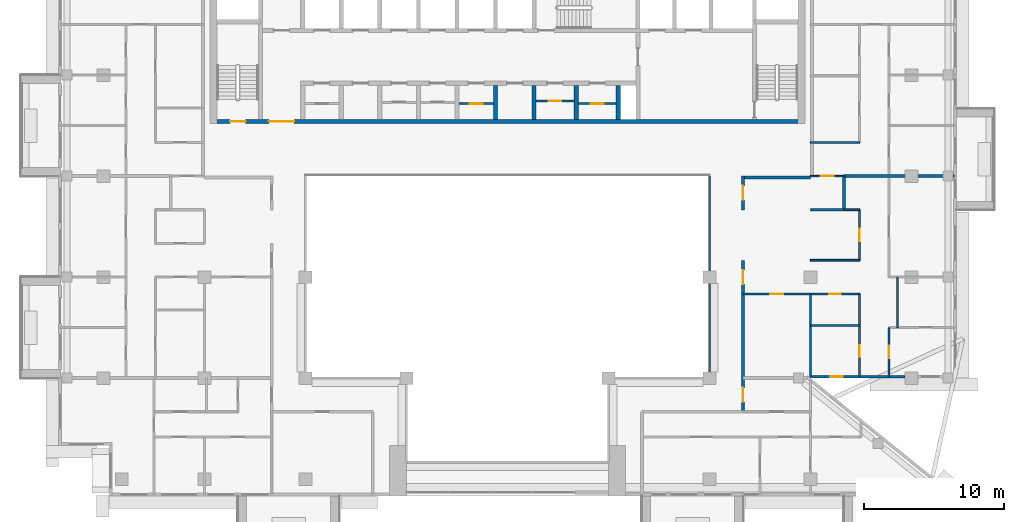
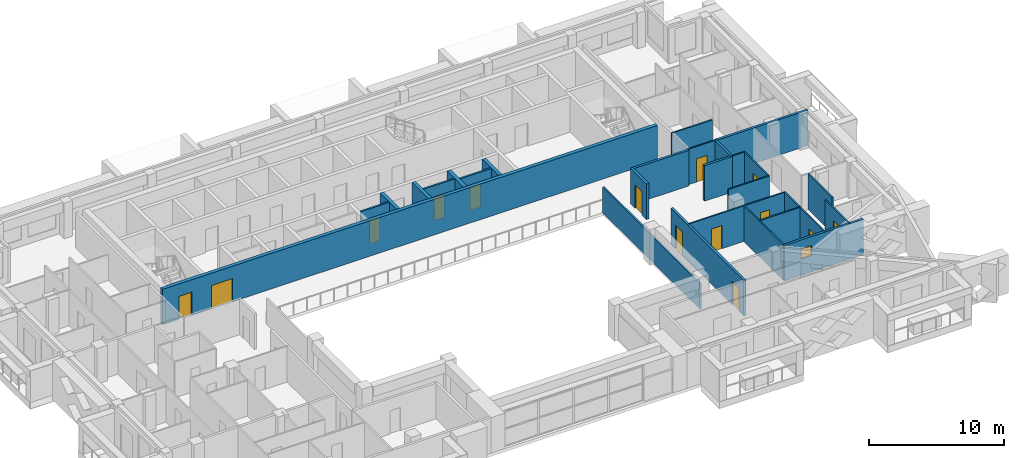
# One storey, part 9 of 19: 27 walls, 14 doors, 1 window, 15 openings.
"""IFC4 building model written with IfcOpenShell, lengths in metres."""

from ifc_helpers import new_model, si_unit, direction, frame, frame_2d, origin, place, context, subcontext, project, spatial, rectangle, extrude, material, layer, layer_set, type_object, element, fill, save


model = new_model("IFC4")

# Units and contexts
model_context = context("Model", 3, precision=1e-05, world=origin(), true_north=direction((0.0, 1.0)))
body_context = subcontext(model_context, "Body", "Model", "MODEL_VIEW")
ifc_project = project(units=[si_unit("LENGTHUNIT", "METRE"), si_unit("AREAUNIT", "SQUARE_METRE"), si_unit("VOLUMEUNIT", "CUBIC_METRE"), si_unit("PLANEANGLEUNIT", "RADIAN"), si_unit("MASSUNIT", "GRAM", prefix="KILO")], contexts=[model_context])

# Site, building, storey
site_placement = place(None, origin())
site = spatial("IfcSite", under=ifc_project, at=site_placement, CompositionType="ELEMENT")
building_placement = place(site_placement, origin())
building = spatial("IfcBuilding", under=site, at=building_placement, Name="Saffron Iwan Residences", CompositionType="ELEMENT")
storey_placement = place(building_placement, frame((0.0, 0.0, 225.5)))
storey = spatial("IfcBuildingStorey", under=building, at=storey_placement, Name="L60", CompositionType="ELEMENT", Elevation=225.5)

# Wall
ifc_material_1 = material(Name="Fire-rated glazing", Category="glass")
ifc_layer_1 = layer(ifc_material_1, 0.14990234375)
ifc_layer_set_1 = layer_set([ifc_layer_1], Name="Fire-rated glazing")
wall_type_1 = type_object("IfcWallType", Name="Atrium glazed screen 150", PredefinedType="SOLIDWALL", material=ifc_layer_set_1)
wall_1_placement = place(storey_placement, frame((64.800048828125, 48.0, 0.0), z_axis=(0.0, 0.0, 1.0), x_axis=(0.0, 1.0, 0.0)))
element("IfcWall", 1, at=wall_1_placement, inside=storey, type_object=wall_type_1, Name="W-L60-SCREEN-v64.8-48", PredefinedType="SOLIDWALL", context=body_context, shape_type="SweptSolid", body=[
    extrude(rectangle(XDim=14.39990234375, YDim=0.14990234375, at=frame_2d((7.199951171875, 0.0))), origin(), (0.0, 0.0, 1.0), 2.320068359375),
])

# Wall, opening, door
ifc_material_2 = material(Name="Fire-rated plasterboard partition")
ifc_layer_2 = layer(ifc_material_2, 0.14990234375)
ifc_layer_set_2 = layer_set([ifc_layer_2], Name="Fire-rated plasterboard partition")
wall_type_2 = type_object("IfcWallType", Name="Core partition 150", PredefinedType="PARTITIONING", material=ifc_layer_set_2)
wall_2_placement = place(storey_placement, frame((46.949951171875, 67.5654296875, 0.0), z_axis=(0.0, 0.0, 1.0), x_axis=(1.0, 0.0, 0.0)))
wall_2 = element("IfcWall", 2, at=wall_2_placement, inside=storey, type_object=wall_type_2, Name="Core partition P04", PredefinedType="PARTITIONING", context=body_context, shape_type="SweptSolid", body=[
    extrude(rectangle(XDim=2.449951171875, YDim=0.14990234375, at=frame_2d((1.22509765625, 0.0))), origin(), (0.0, 0.0, 1.0), 3.219970703125),
])
opening_1_placement = place(wall_2_placement, frame((0.77490234375, 0.0, 0.0)))
opening_1 = element("IfcOpeningElement", 3, at=opening_1_placement, cuts=wall_2, Name="Opening SB", PredefinedType="OPENING", context=body_context, shape_type="SweptSolid", body=[
    extrude(rectangle(XDim=0.89990234375, YDim=2.10009765625, at=frame_2d((0.449951171875, 1.050048828125))), frame((0.0, 0.0849609375, 0.0), z_axis=(0.0, -1.0, 0.0), x_axis=(1.0, 0.0, 0.0)), (0.0, 0.0, 1.0), 0.169921875),
])
ifc_material_3 = material(Name="Steel fire door", Category="steel")
door_type_1 = type_object("IfcDoorType", Name="Store door 900", OperationType="NOTDEFINED", PredefinedType="DOOR", material=ifc_material_3)
door_1_placement = place(opening_1_placement, origin())
door_1 = element("IfcDoor", 4, at=door_1_placement, inside=storey, type_object=door_type_1, Name="Door Equipment store", OperationType="SINGLE_SWING_RIGHT", OverallHeight=2.10009765625, OverallWidth=0.89990234375, PredefinedType="DOOR", context=body_context, shape_type="SweptSolid", body=[
    extrude(rectangle(XDim=0.89990234375, YDim=2.10009765625, at=frame_2d((0.449951171875, 1.050048828125))), frame((0.0, 0.02490234375, 0.0), z_axis=(0.0, -1.0, 0.0), x_axis=(1.0, 0.0, 0.0)), (0.0, 0.0, 1.0), 0.050048828125),
])
fill(opening_1, door_1)

wall_3_placement = place(storey_placement, frame((52.449951171875, 67.759521484375, 0.0), z_axis=(0.0, 0.0, 1.0), x_axis=(1.0, 0.0, 0.0)))
wall_3 = element("IfcWall", 5, at=wall_3_placement, inside=storey, type_object=wall_type_2, Name="Core partition P05", PredefinedType="PARTITIONING", context=body_context, shape_type="SweptSolid", body=[
    extrude(rectangle(XDim=2.699951171875, YDim=0.14990234375, at=frame_2d((1.35009765625, 0.0))), origin(), (0.0, 0.0, 1.0), 3.219970703125),
])
opening_2_placement = place(wall_3_placement, frame((0.89990234375, 0.0, 0.0)))
opening_2 = element("IfcOpeningElement", 6, at=opening_2_placement, cuts=wall_3, Name="Opening SB", PredefinedType="OPENING", context=body_context, shape_type="SweptSolid", body=[
    extrude(rectangle(XDim=0.89990234375, YDim=2.10009765625, at=frame_2d((0.449951171875, 1.050048828125))), frame((0.0, 0.0849609375, 0.0), z_axis=(0.0, -1.0, 0.0), x_axis=(1.0, 0.0, 0.0)), (0.0, 0.0, 1.0), 0.169921875),
])
door_2_placement = place(opening_2_placement, origin())
door_2 = element("IfcDoor", 7, at=door_2_placement, inside=storey, type_object=door_type_1, Name="Door Stationery store", OperationType="SINGLE_SWING_LEFT", OverallHeight=2.10009765625, OverallWidth=0.89990234375, PredefinedType="DOOR", context=body_context, shape_type="SweptSolid", body=[
    extrude(rectangle(XDim=0.89990234375, YDim=2.10009765625, at=frame_2d((0.449951171875, 1.050048828125))), frame((0.0, 0.02490234375, 0.0), z_axis=(0.0, -1.0, 0.0), x_axis=(1.0, 0.0, 0.0)), (0.0, 0.0, 1.0), 0.050048828125),
])
fill(opening_2, door_2)

wall_4_placement = place(storey_placement, frame((55.449951171875, 67.5654296875, 0.0), z_axis=(0.0, 0.0, 1.0), x_axis=(1.0, 0.0, 0.0)))
wall_4 = element("IfcWall", 8, at=wall_4_placement, inside=storey, type_object=wall_type_2, Name="Core partition P06", PredefinedType="PARTITIONING", context=body_context, shape_type="SweptSolid", body=[
    extrude(rectangle(XDim=2.699951171875, YDim=0.14990234375, at=frame_2d((1.35009765625, 0.0))), origin(), (0.0, 0.0, 1.0), 3.219970703125),
])
opening_3_placement = place(wall_4_placement, frame((0.89990234375, 0.0, 0.0)))
opening_3 = element("IfcOpeningElement", 9, at=opening_3_placement, cuts=wall_4, Name="Opening SB", PredefinedType="OPENING", context=body_context, shape_type="SweptSolid", body=[
    extrude(rectangle(XDim=0.89990234375, YDim=2.10009765625, at=frame_2d((0.449951171875, 1.050048828125))), frame((0.0, 0.0849609375, 0.0), z_axis=(0.0, -1.0, 0.0), x_axis=(1.0, 0.0, 0.0)), (0.0, 0.0, 1.0), 0.169921875),
])
door_3_placement = place(opening_3_placement, origin())
door_3 = element("IfcDoor", 10, at=door_3_placement, inside=storey, type_object=door_type_1, Name="Door Tool store", OperationType="SINGLE_SWING_RIGHT", OverallHeight=2.10009765625, OverallWidth=0.89990234375, PredefinedType="DOOR", context=body_context, shape_type="SweptSolid", body=[
    extrude(rectangle(XDim=0.89990234375, YDim=2.10009765625, at=frame_2d((0.449951171875, 1.050048828125))), frame((0.0, 0.02490234375, 0.0), z_axis=(0.0, -1.0, 0.0), x_axis=(1.0, 0.0, 0.0)), (0.0, 0.0, 1.0), 0.050048828125),
])
fill(opening_3, door_3)

# Wall, opening, window
ifc_material_4 = material(Name="Concrete C40/50", Category="concrete")
ifc_layer_3 = layer(ifc_material_4, 0.199951171875)
ifc_layer_set_3 = layer_set([ifc_layer_3], Name="Concrete C40/50")
wall_type_3 = type_object("IfcWallType", Name="EXTERNAL WALL 200", PredefinedType="SOLIDWALL", material=ifc_layer_set_3)
wall_5_placement = place(storey_placement, frame((71.987060546875, 48.10009765625, 0.0), z_axis=(0.0, 0.0, 1.0), x_axis=(1.0, 0.0, 0.0)))
wall_5 = element("IfcWall", 11, at=wall_5_placement, inside=storey, type_object=wall_type_3, Name="External wall L60 F1.0", PredefinedType="SOLIDWALL", context=body_context, shape_type="SweptSolid", body=[
    extrude(rectangle(XDim=6.762939453125, YDim=0.199951171875, at=frame_2d((3.38134765625, 0.0))), origin(), (0.0, 0.0, 1.0), 3.219970703125),
])
opening_4_placement = place(wall_5_placement, frame((1.406494140625, 0.0, 1.5)))
opening_4 = element("IfcOpeningElement", 12, at=opening_4_placement, cuts=wall_5, Name="Opening W6", PredefinedType="OPENING", context=body_context, shape_type="SweptSolid", body=[
    extrude(rectangle(XDim=0.89990234375, YDim=0.89990234375, at=frame_2d((0.449951171875, 0.449951171875))), frame((0.0, 0.10986328125, 0.0), z_axis=(0.0, -1.0, 0.0), x_axis=(1.0, 0.0, 0.0)), (0.0, 0.0, 1.0), 0.219970703125),
])
ifc_material_5 = material(Name="Clear glass, laminated double glazed", Category="glass")
window_type = type_object("IfcWindowType", Name="WINDOW 900 x 900 BATH", PartitioningType="SINGLE_PANEL", PredefinedType="WINDOW", material=ifc_material_5)
window_placement = place(opening_4_placement, origin())
window = element("IfcWindow", 13, at=window_placement, inside=storey, type_object=window_type, Name="Window L60 F1.0", OverallHeight=0.89990234375, OverallWidth=0.89990234375, PartitioningType="SINGLE_PANEL", PredefinedType="WINDOW", context=body_context, shape_type="SweptSolid", body=[
    extrude(rectangle(XDim=0.89990234375, YDim=0.89990234375, at=frame_2d((0.449951171875, 0.449951171875))), frame((0.0, 0.030029296875, 0.0), z_axis=(0.0, -1.0, 0.0), x_axis=(1.0, 0.0, 0.0)), (0.0, 0.0, 1.0), 0.06005859375),
])
fill(opening_4, window)

# Walls
ifc_material_6 = material(Name="Fire-rated gypsum board wall")
ifc_layer_4 = layer(ifc_material_6, 0.199951171875)
ifc_layer_set_4 = layer_set([ifc_layer_4], Name="Fire-rated gypsum board wall")
wall_type_4 = type_object("IfcWallType", Name="Flat demising wall 200", PredefinedType="SOLIDWALL", material=ifc_layer_set_4)
wall_6_placement = place(storey_placement, frame((72.0, 60.0, 0.0), z_axis=(0.0, 0.0, 1.0), x_axis=(1.0, 0.0, 0.0)))
element("IfcWall", 14, at=wall_6_placement, inside=storey, type_object=wall_type_4, Name="W-L60-DEMISE-h60-72", PredefinedType="SOLIDWALL", context=body_context, shape_type="SweptSolid", body=[
    extrude(rectangle(XDim=2.39990234375, YDim=0.199951171875, at=frame_2d((1.199951171875, 0.0))), origin(), (0.0, 0.0, 1.0), 3.219970703125),
])
wall_7_placement = place(storey_placement, frame((74.39990234375, 62.39990234375, 0.0), z_axis=(0.0, 0.0, 1.0), x_axis=(1.0, 0.0, 0.0)))
element("IfcWall", 15, at=wall_7_placement, inside=storey, type_object=wall_type_4, Name="W-L60-DEMISE-h62.4-74.4", PredefinedType="SOLIDWALL", context=body_context, shape_type="SweptSolid", body=[
    extrude(rectangle(XDim=7.875, YDim=0.199951171875, at=frame_2d((3.9375, 0.0))), origin(), (0.0, 0.0, 1.0), 3.219970703125),
])
wall_8_placement = place(storey_placement, frame((74.39990234375, 60.0, 0.0), z_axis=(0.0, 0.0, 1.0), x_axis=(0.0, 1.0, 0.0)))
element("IfcWall", 16, at=wall_8_placement, inside=storey, type_object=wall_type_4, Name="W-L60-DEMISE-v74.4-60", PredefinedType="SOLIDWALL", context=body_context, shape_type="SweptSolid", body=[
    extrude(rectangle(XDim=2.39990234375, YDim=0.199951171875, at=frame_2d((1.199951171875, 0.0))), origin(), (0.0, 0.0, 1.0), 3.219970703125),
])
ifc_material_7 = material(Name="Gypsum board partition")
ifc_layer_5 = layer(ifc_material_7, 0.1201171875)
ifc_layer_set_5 = layer_set([ifc_layer_5], Name="Gypsum board partition")
wall_type_5 = type_object("IfcWallType", Name="Flat partition 120", PredefinedType="PARTITIONING", material=ifc_layer_set_5)
wall_9_placement = place(storey_placement, frame((72.0, 51.75, 0.0), z_axis=(0.0, 0.0, 1.0), x_axis=(1.0, 0.0, 0.0)))
element("IfcWall", 17, at=wall_9_placement, inside=storey, type_object=wall_type_5, Name="W-L60-PART-h51.75-72", PredefinedType="PARTITIONING", context=body_context, shape_type="SweptSolid", body=[
    extrude(rectangle(XDim=3.5, YDim=0.1201171875, at=frame_2d((1.75, 0.0))), origin(), (0.0, 0.0, 1.0), 3.219970703125),
])

# Wall, openings, doors
wall_10_placement = place(storey_placement, frame((67.199951171875, 54.0, 0.0), z_axis=(0.0, 0.0, 1.0), x_axis=(1.0, 0.0, 0.0)))
wall_10 = element("IfcWall", 18, at=wall_10_placement, inside=storey, type_object=wall_type_5, Name="W-L60-PART-h54-67.2", PredefinedType="PARTITIONING", context=body_context, shape_type="SweptSolid", body=[
    extrude(rectangle(XDim=8.300048828125, YDim=0.1201171875, at=frame_2d((4.14990234375, 0.0))), origin(), (0.0, 0.0, 1.0), 3.219970703125),
])
opening_5_placement = place(wall_10_placement, frame((6.14990234375, 0.0, 0.0)))
opening_5 = element("IfcOpeningElement", 19, at=opening_5_placement, cuts=wall_10, Name="Opening FD3", PredefinedType="OPENING", context=body_context, shape_type="SweptSolid", body=[
    extrude(rectangle(XDim=0.800048828125, YDim=2.10009765625, at=frame_2d((0.39990234375, 1.050048828125))), frame((0.0, 0.070068359375, 0.0), z_axis=(0.0, -1.0, 0.0), x_axis=(1.0, 0.0, 0.0)), (0.0, 0.0, 1.0), 0.14013671875),
])
opening_6_placement = place(wall_10_placement, frame((1.949951171875, 0.0, 0.0)))
opening_6 = element("IfcOpeningElement", 20, at=opening_6_placement, cuts=wall_10, Name="Opening FD2", PredefinedType="OPENING", context=body_context, shape_type="SweptSolid", body=[
    extrude(rectangle(XDim=0.89990234375, YDim=2.10009765625, at=frame_2d((0.449951171875, 1.050048828125))), frame((0.0, 0.070068359375, 0.0), z_axis=(0.0, -1.0, 0.0), x_axis=(1.0, 0.0, 0.0)), (0.0, 0.0, 1.0), 0.14013671875),
])
ifc_material_8 = material(Name="Timber door", Category="wood")
door_type_2 = type_object("IfcDoorType", Name="Bathroom door 800", OperationType="NOTDEFINED", PredefinedType="DOOR", material=ifc_material_8)
door_4_placement = place(opening_5_placement, origin())
door_4 = element("IfcDoor", 21, at=door_4_placement, inside=storey, type_object=door_type_2, Name="Door L60-021", OperationType="SINGLE_SWING_LEFT", OverallHeight=2.10009765625, OverallWidth=0.800048828125, PredefinedType="DOOR", context=body_context, shape_type="SweptSolid", body=[
    extrude(rectangle(XDim=0.800048828125, YDim=2.10009765625, at=frame_2d((0.39990234375, 1.050048828125))), frame((0.0, 0.02490234375, 0.0), z_axis=(0.0, -1.0, 0.0), x_axis=(1.0, 0.0, 0.0)), (0.0, 0.0, 1.0), 0.050048828125),
])
fill(opening_5, door_4)
door_type_3 = type_object("IfcDoorType", Name="Flat door 900", OperationType="NOTDEFINED", PredefinedType="DOOR", material=ifc_material_8)
door_5_placement = place(opening_6_placement, origin())
door_5 = element("IfcDoor", 22, at=door_5_placement, inside=storey, type_object=door_type_3, Name="Door L60-023", OperationType="SINGLE_SWING_LEFT", OverallHeight=2.10009765625, OverallWidth=0.89990234375, PredefinedType="DOOR", context=body_context, shape_type="SweptSolid", body=[
    extrude(rectangle(XDim=0.89990234375, YDim=2.10009765625, at=frame_2d((0.449951171875, 1.050048828125))), frame((0.0, 0.02490234375, 0.0), z_axis=(0.0, -1.0, 0.0), x_axis=(1.0, 0.0, 0.0)), (0.0, 0.0, 1.0), 0.050048828125),
])
fill(opening_6, door_5)

# Walls
wall_11_placement = place(storey_placement, frame((72.0, 56.39990234375, 0.0), z_axis=(0.0, 0.0, 1.0), x_axis=(1.0, 0.0, 0.0)))
element("IfcWall", 23, at=wall_11_placement, inside=storey, type_object=wall_type_5, Name="W-L60-PART-h56.4-72", PredefinedType="PARTITIONING", context=body_context, shape_type="SweptSolid", body=[
    extrude(rectangle(XDim=3.5, YDim=0.1201171875, at=frame_2d((1.75, 0.0))), origin(), (0.0, 0.0, 1.0), 3.219970703125),
])
wall_12_placement = place(storey_placement, frame((74.39990234375, 60.0, 0.0), z_axis=(0.0, 0.0, 1.0), x_axis=(1.0, 0.0, 0.0)))
element("IfcWall", 24, at=wall_12_placement, inside=storey, type_object=wall_type_5, Name="W-L60-PART-h60-74.4", PredefinedType="PARTITIONING", context=body_context, shape_type="SweptSolid", body=[
    extrude(rectangle(XDim=1.10009765625, YDim=0.1201171875, at=frame_2d((0.550048828125, 0.0))), origin(), (0.0, 0.0, 1.0), 3.219970703125),
])

# Wall, opening, door
wall_13_placement = place(storey_placement, frame((72.0, 62.39990234375, 0.0), z_axis=(0.0, 0.0, 1.0), x_axis=(1.0, 0.0, 0.0)))
wall_13 = element("IfcWall", 25, at=wall_13_placement, inside=storey, type_object=wall_type_5, Name="W-L60-PART-h62.4-72", PredefinedType="PARTITIONING", context=body_context, shape_type="SweptSolid", body=[
    extrude(rectangle(XDim=2.39990234375, YDim=0.1201171875, at=frame_2d((1.199951171875, 0.0))), origin(), (0.0, 0.0, 1.0), 3.219970703125),
])
opening_7_placement = place(wall_13_placement, frame((0.75, 0.0, 0.0)))
opening_7 = element("IfcOpeningElement", 26, at=opening_7_placement, cuts=wall_13, Name="Opening FD2", PredefinedType="OPENING", context=body_context, shape_type="SweptSolid", body=[
    extrude(rectangle(XDim=0.89990234375, YDim=2.10009765625, at=frame_2d((0.449951171875, 1.050048828125))), frame((0.0, 0.070068359375, 0.0), z_axis=(0.0, -1.0, 0.0), x_axis=(1.0, 0.0, 0.0)), (0.0, 0.0, 1.0), 0.14013671875),
])
door_6_placement = place(opening_7_placement, origin())
door_6 = element("IfcDoor", 27, at=door_6_placement, inside=storey, type_object=door_type_3, Name="Door L60-032", OperationType="SINGLE_SWING_LEFT", OverallHeight=2.10009765625, OverallWidth=0.89990234375, PredefinedType="DOOR", context=body_context, shape_type="SweptSolid", body=[
    extrude(rectangle(XDim=0.89990234375, YDim=2.10009765625, at=frame_2d((0.449951171875, 1.050048828125))), frame((0.0, 0.02490234375, 0.0), z_axis=(0.0, -1.0, 0.0), x_axis=(1.0, 0.0, 0.0)), (0.0, 0.0, 1.0), 0.050048828125),
])
fill(opening_7, door_6)

# Walls
wall_14_placement = place(storey_placement, frame((72.0, 64.800048828125, 0.0), z_axis=(0.0, 0.0, 1.0), x_axis=(1.0, 0.0, 0.0)))
element("IfcWall", 28, at=wall_14_placement, inside=storey, type_object=wall_type_5, Name="W-L60-PART-h64.8-72", PredefinedType="PARTITIONING", context=body_context, shape_type="SweptSolid", body=[
    extrude(rectangle(XDim=3.5, YDim=0.1201171875, at=frame_2d((1.75, 0.0))), origin(), (0.0, 0.0, 1.0), 3.219970703125),
])
wall_15_placement = place(storey_placement, frame((72.0, 48.125, 0.0), z_axis=(0.0, 0.0, 1.0), x_axis=(0.0, 1.0, 0.0)))
element("IfcWall", 29, at=wall_15_placement, inside=storey, type_object=wall_type_5, Name="W-L60-PART-v72-48.125", PredefinedType="PARTITIONING", context=body_context, shape_type="SweptSolid", body=[
    extrude(rectangle(XDim=5.875, YDim=0.1201171875, at=frame_2d((2.9375, 0.0))), origin(), (0.0, 0.0, 1.0), 3.219970703125),
])

# Wall, opening, door
wall_16_placement = place(storey_placement, frame((75.5, 48.125, 0.0), z_axis=(0.0, 0.0, 1.0), x_axis=(0.0, 1.0, 0.0)))
wall_16 = element("IfcWall", 30, at=wall_16_placement, inside=storey, type_object=wall_type_5, Name="W-L60-PART-v75.5-48.125", PredefinedType="PARTITIONING", context=body_context, shape_type="SweptSolid", body=[
    extrude(rectangle(XDim=5.875, YDim=0.1201171875, at=frame_2d((2.9375, 0.0))), origin(), (0.0, 0.0, 1.0), 3.219970703125),
])
opening_8_placement = place(wall_16_placement, frame((1.41259765625, 0.0, 0.0)))
opening_8 = element("IfcOpeningElement", 31, at=opening_8_placement, cuts=wall_16, Name="Opening FD3", PredefinedType="OPENING", context=body_context, shape_type="SweptSolid", body=[
    extrude(rectangle(XDim=0.800048828125, YDim=2.10009765625, at=frame_2d((0.39990234375, 1.050048828125))), frame((0.0, 0.070068359375, 0.0), z_axis=(0.0, -1.0, 0.0), x_axis=(1.0, 0.0, 0.0)), (0.0, 0.0, 1.0), 0.14013671875),
])
door_7_placement = place(opening_8_placement, origin())
door_7 = element("IfcDoor", 32, at=door_7_placement, inside=storey, type_object=door_type_2, Name="Door L60-020", OperationType="SINGLE_SWING_LEFT", OverallHeight=2.10009765625, OverallWidth=0.800048828125, PredefinedType="DOOR", context=body_context, shape_type="SweptSolid", body=[
    extrude(rectangle(XDim=0.800048828125, YDim=2.10009765625, at=frame_2d((0.39990234375, 1.050048828125))), frame((0.0, 0.02490234375, 0.0), z_axis=(0.0, -1.0, 0.0), x_axis=(1.0, 0.0, 0.0)), (0.0, 0.0, 1.0), 0.050048828125),
])
fill(opening_8, door_7)

wall_17_placement = place(storey_placement, frame((75.5, 56.39990234375, 0.0), z_axis=(0.0, 0.0, 1.0), x_axis=(0.0, 1.0, 0.0)))
wall_17 = element("IfcWall", 33, at=wall_17_placement, inside=storey, type_object=wall_type_5, Name="W-L60-PART-v75.5-56.4", PredefinedType="PARTITIONING", context=body_context, shape_type="SweptSolid", body=[
    extrude(rectangle(XDim=3.60009765625, YDim=0.1201171875, at=frame_2d((1.800048828125, 0.0))), origin(), (0.0, 0.0, 1.0), 3.219970703125),
])
opening_9_placement = place(wall_17_placement, frame((1.35009765625, 0.0, 0.0)))
opening_9 = element("IfcOpeningElement", 34, at=opening_9_placement, cuts=wall_17, Name="Opening FD2", PredefinedType="OPENING", context=body_context, shape_type="SweptSolid", body=[
    extrude(rectangle(XDim=0.89990234375, YDim=2.10009765625, at=frame_2d((0.449951171875, 1.050048828125))), frame((0.0, 0.070068359375, 0.0), z_axis=(0.0, -1.0, 0.0), x_axis=(1.0, 0.0, 0.0)), (0.0, 0.0, 1.0), 0.14013671875),
])
door_8_placement = place(opening_9_placement, origin())
door_8 = element("IfcDoor", 35, at=door_8_placement, inside=storey, type_object=door_type_3, Name="Door L60-022", OperationType="SINGLE_SWING_RIGHT", OverallHeight=2.10009765625, OverallWidth=0.89990234375, PredefinedType="DOOR", context=body_context, shape_type="SweptSolid", body=[
    extrude(rectangle(XDim=0.89990234375, YDim=2.10009765625, at=frame_2d((0.449951171875, 1.050048828125))), frame((0.0, 0.02490234375, 0.0), z_axis=(0.0, -1.0, 0.0), x_axis=(1.0, 0.0, 0.0)), (0.0, 0.0, 1.0), 0.050048828125),
])
fill(opening_9, door_8)

wall_18_placement = place(storey_placement, frame((77.60009765625, 48.125, 0.0), z_axis=(0.0, 0.0, 1.0), x_axis=(0.0, 1.0, 0.0)))
wall_18 = element("IfcWall", 36, at=wall_18_placement, inside=storey, type_object=wall_type_5, Name="W-L60-PART-v77.6-48.125", PredefinedType="PARTITIONING", context=body_context, shape_type="SweptSolid", body=[
    extrude(rectangle(XDim=3.47509765625, YDim=0.1201171875, at=frame_2d((1.737548828125, 0.0))), origin(), (0.0, 0.0, 1.0), 3.219970703125),
])
opening_10_placement = place(wall_18_placement, frame((1.28759765625, 0.0, 0.0)))
opening_10 = element("IfcOpeningElement", 37, at=opening_10_placement, cuts=wall_18, Name="Opening FD2", PredefinedType="OPENING", context=body_context, shape_type="SweptSolid", body=[
    extrude(rectangle(XDim=0.89990234375, YDim=2.10009765625, at=frame_2d((0.449951171875, 1.050048828125))), frame((0.0, 0.070068359375, 0.0), z_axis=(0.0, -1.0, 0.0), x_axis=(1.0, 0.0, 0.0)), (0.0, 0.0, 1.0), 0.14013671875),
])
door_9_placement = place(opening_10_placement, origin())
door_9 = element("IfcDoor", 38, at=door_9_placement, inside=storey, type_object=door_type_3, Name="Door L60-017", OperationType="SINGLE_SWING_LEFT", OverallHeight=2.10009765625, OverallWidth=0.89990234375, PredefinedType="DOOR", context=body_context, shape_type="SweptSolid", body=[
    extrude(rectangle(XDim=0.89990234375, YDim=2.10009765625, at=frame_2d((0.449951171875, 1.050048828125))), frame((0.0, 0.02490234375, 0.0), z_axis=(0.0, -1.0, 0.0), x_axis=(1.0, 0.0, 0.0)), (0.0, 0.0, 1.0), 0.050048828125),
])
fill(opening_10, door_9)

# Walls
wall_19_placement = place(storey_placement, frame((78.199951171875, 51.60009765625, 0.0), z_axis=(0.0, 0.0, 1.0), x_axis=(0.0, 1.0, 0.0)))
element("IfcWall", 39, at=wall_19_placement, inside=storey, type_object=wall_type_5, Name="W-L60-PART-v78.2-51.6", PredefinedType="PARTITIONING", context=body_context, shape_type="SweptSolid", body=[
    extrude(rectangle(XDim=3.599853515625, YDim=0.1201171875, at=frame_2d((1.7998046875, 0.0))), origin(), (0.0, 0.0, 1.0), 3.219970703125),
])
ifc_layer_6 = layer(ifc_material_6, 0.199951171875)
ifc_layer_set_6 = layer_set([ifc_layer_6], Name="Fire-rated gypsum board wall")
wall_type_6 = type_object("IfcWallType", Name="Gallery wall 200", PredefinedType="SOLIDWALL", material=ifc_layer_set_6)
wall_20_placement = place(storey_placement, frame((67.199951171875, 62.300048828125, 0.0), z_axis=(0.0, 0.0, 1.0), x_axis=(1.0, 0.0, 0.0)))
element("IfcWall", 40, at=wall_20_placement, inside=storey, type_object=wall_type_6, Name="W-L60-CORR-h62.4-67.2", PredefinedType="SOLIDWALL", context=body_context, shape_type="SweptSolid", body=[
    extrude(rectangle(XDim=4.800048828125, YDim=0.199951171875, at=frame_2d((2.39990234375, 0.0))), origin(), (0.0, 0.0, 1.0), 3.219970703125),
])

# Wall, openings, doors
wall_21_placement = place(storey_placement, frame((67.199951171875, 45.60009765625, 0.0), z_axis=(0.0, 0.0, 1.0), x_axis=(0.0, 1.0, 0.0)))
wall_21 = element("IfcWall", 41, at=wall_21_placement, inside=storey, type_object=wall_type_6, Name="W-L60-CORR-v67.2-45.6", PredefinedType="SOLIDWALL", context=body_context, shape_type="SweptSolid", body=[
    extrude(rectangle(XDim=10.7998046875, YDim=0.199951171875, at=frame_2d((5.39990234375, 0.0))), origin(), (0.0, 0.0, 1.0), 3.219970703125),
])
opening_11_placement = place(wall_21_placement, frame((9.10009765625, 0.0, 0.0)))
opening_11 = element("IfcOpeningElement", 42, at=opening_11_placement, cuts=wall_21, Name="Opening FD1", PredefinedType="OPENING", context=body_context, shape_type="SweptSolid", body=[
    extrude(rectangle(XDim=1.0, YDim=2.10009765625, at=frame_2d((0.5, 1.050048828125))), frame((0.0, 0.10986328125, 0.0), z_axis=(0.0, -1.0, 0.0), x_axis=(1.0, 0.0, 0.0)), (0.0, 0.0, 1.0), 0.219970703125),
])
opening_12_placement = place(wall_21_placement, frame((0.699951171875, 0.0, 0.0)))
opening_12 = element("IfcOpeningElement", 43, at=opening_12_placement, cuts=wall_21, Name="Opening FD5", PredefinedType="OPENING", context=body_context, shape_type="SweptSolid", body=[
    extrude(rectangle(XDim=1.0, YDim=2.10009765625, at=frame_2d((0.5, 1.050048828125))), frame((0.0, 0.10986328125, 0.0), z_axis=(0.0, -1.0, 0.0), x_axis=(1.0, 0.0, 0.0)), (0.0, 0.0, 1.0), 0.219970703125),
])
ifc_material_9 = material(Name="Fire-rated timber door", Category="wood")
door_type_4 = type_object("IfcDoorType", Name="FD30S flat entrance door 1000", OperationType="NOTDEFINED", PredefinedType="DOOR", material=ifc_material_9)
door_10_placement = place(opening_11_placement, origin())
door_10 = element("IfcDoor", 44, at=door_10_placement, inside=storey, type_object=door_type_4, Name="Door L60-016", OperationType="SINGLE_SWING_RIGHT", OverallHeight=2.10009765625, OverallWidth=1.0, PredefinedType="DOOR", context=body_context, shape_type="SweptSolid", body=[
    extrude(rectangle(XDim=1.0, YDim=2.10009765625, at=frame_2d((0.5, 1.050048828125))), frame((0.0, 0.02490234375, 0.0), z_axis=(0.0, -1.0, 0.0), x_axis=(1.0, 0.0, 0.0)), (0.0, 0.0, 1.0), 0.050048828125),
])
fill(opening_11, door_10)
door_type_5 = type_object("IfcDoorType", Name="Lobby door 1000", OperationType="NOTDEFINED", PredefinedType="DOOR", material=ifc_material_9)
door_11_placement = place(opening_12_placement, origin())
door_11 = element("IfcDoor", 45, at=door_11_placement, inside=storey, type_object=door_type_5, Name="Door L60-042", OperationType="SINGLE_SWING_LEFT", OverallHeight=2.10009765625, OverallWidth=1.0, PredefinedType="DOOR", context=body_context, shape_type="SweptSolid", body=[
    extrude(rectangle(XDim=1.0, YDim=2.10009765625, at=frame_2d((0.5, 1.050048828125))), frame((0.0, 0.02490234375, 0.0), z_axis=(0.0, -1.0, 0.0), x_axis=(1.0, 0.0, 0.0)), (0.0, 0.0, 1.0), 0.050048828125),
])
fill(opening_12, door_11)

# Wall, opening, door
wall_22_placement = place(storey_placement, frame((67.199951171875, 60.0, 0.0), z_axis=(0.0, 0.0, 1.0), x_axis=(0.0, 1.0, 0.0)))
wall_22 = element("IfcWall", 46, at=wall_22_placement, inside=storey, type_object=wall_type_6, Name="W-L60-CORR-v67.2-60", PredefinedType="SOLIDWALL", context=body_context, shape_type="SweptSolid", body=[
    extrude(rectangle(XDim=2.39990234375, YDim=0.199951171875, at=frame_2d((1.199951171875, 0.0))), origin(), (0.0, 0.0, 1.0), 3.219970703125),
])
opening_13_placement = place(wall_22_placement, frame((0.699951171875, 0.0, 0.0)))
opening_13 = element("IfcOpeningElement", 47, at=opening_13_placement, cuts=wall_22, Name="Opening FD5", PredefinedType="OPENING", context=body_context, shape_type="SweptSolid", body=[
    extrude(rectangle(XDim=1.0, YDim=2.10009765625, at=frame_2d((0.5, 1.050048828125))), frame((0.0, 0.10986328125, 0.0), z_axis=(0.0, -1.0, 0.0), x_axis=(1.0, 0.0, 0.0)), (0.0, 0.0, 1.0), 0.219970703125),
])
door_12_placement = place(opening_13_placement, origin())
door_12 = element("IfcDoor", 48, at=door_12_placement, inside=storey, type_object=door_type_5, Name="Door L60-033", OperationType="SINGLE_SWING_LEFT", OverallHeight=2.10009765625, OverallWidth=1.0, PredefinedType="DOOR", context=body_context, shape_type="SweptSolid", body=[
    extrude(rectangle(XDim=1.0, YDim=2.10009765625, at=frame_2d((0.5, 1.050048828125))), frame((0.0, 0.02490234375, 0.0), z_axis=(0.0, -1.0, 0.0), x_axis=(1.0, 0.0, 0.0)), (0.0, 0.0, 1.0), 0.050048828125),
])
fill(opening_13, door_12)

# Wall, openings, doors
ifc_layer_7 = layer(ifc_material_4, 0.300048828125)
ifc_layer_set_7 = layer_set([ifc_layer_7], Name="Concrete C40/50")
wall_type_7 = type_object("IfcWallType", Name="WALL CORE 300 C40/50 3220 HIGH", PredefinedType="SHEAR", material=ifc_layer_set_7)
wall_23_placement = place(storey_placement, frame((29.199951171875, 66.300048828125, 0.0), z_axis=(0.0, 0.0, 1.0), x_axis=(1.0, 0.0, 0.0)))
wall_23 = element("IfcWall", 49, at=wall_23_placement, inside=storey, type_object=wall_type_7, Name="Core wall", PredefinedType="SHEAR", context=body_context, shape_type="SweptSolid", body=[
    extrude(rectangle(XDim=42.400146484375, YDim=0.300048828125, at=frame_2d((21.2001953125, 0.0))), origin(), (0.0, 0.0, 1.0), 3.219970703125),
])
opening_14_placement = place(wall_23_placement, frame((1.425048828125, 0.0, 0.0)))
opening_14 = element("IfcOpeningElement", 50, at=opening_14_placement, cuts=wall_23, Name="Opening SD", PredefinedType="OPENING", context=body_context, shape_type="SweptSolid", body=[
    extrude(rectangle(XDim=1.10009765625, YDim=2.10009765625, at=frame_2d((0.550048828125, 1.050048828125))), frame((0.0, 0.16015625, 0.0), z_axis=(0.0, -1.0, 0.0), x_axis=(1.0, 0.0, 0.0)), (0.0, 0.0, 1.0), 0.320068359375),
])
opening_15_placement = place(wall_23_placement, frame((4.199951171875, 0.0, 0.0)))
opening_15 = element("IfcOpeningElement", 51, at=opening_15_placement, cuts=wall_23, Name="Opening DD", PredefinedType="OPENING", context=body_context, shape_type="SweptSolid", body=[
    extrude(rectangle(XDim=1.800048828125, YDim=2.10009765625, at=frame_2d((0.89990234375, 1.050048828125))), frame((0.0, 0.16015625, 0.0), z_axis=(0.0, -1.0, 0.0), x_axis=(1.0, 0.0, 0.0)), (0.0, 0.0, 1.0), 0.320068359375),
])
door_type_6 = type_object("IfcDoorType", Name="Lobby double door 1800", OperationType="DOUBLE_DOOR_SINGLE_SWING", PredefinedType="DOOR", material=ifc_material_3)
door_13_placement = place(opening_15_placement, origin())
door_13 = element("IfcDoor", 52, at=door_13_placement, inside=storey, type_object=door_type_6, Name="Lobby doors", OperationType="DOUBLE_DOOR_SINGLE_SWING", OverallHeight=2.10009765625, OverallWidth=1.800048828125, PredefinedType="DOOR", context=body_context, shape_type="SweptSolid", body=[
    extrude(rectangle(XDim=1.800048828125, YDim=2.10009765625, at=frame_2d((0.89990234375, 1.050048828125))), frame((0.0, 0.02490234375, 0.0), z_axis=(0.0, -1.0, 0.0), x_axis=(1.0, 0.0, 0.0)), (0.0, 0.0, 1.0), 0.050048828125),
])
fill(opening_15, door_13)
door_type_7 = type_object("IfcDoorType", Name="Stair door 1100", OperationType="NOTDEFINED", PredefinedType="DOOR", material=ifc_material_3)
door_14_placement = place(opening_14_placement, origin())
door_14 = element("IfcDoor", 53, at=door_14_placement, inside=storey, type_object=door_type_7, Name="Stair door ST-W", OperationType="SINGLE_SWING_LEFT", OverallHeight=2.10009765625, OverallWidth=1.10009765625, PredefinedType="DOOR", context=body_context, shape_type="SweptSolid", body=[
    extrude(rectangle(XDim=1.10009765625, YDim=2.10009765625, at=frame_2d((0.550048828125, 1.050048828125))), frame((0.0, 0.02490234375, 0.0), z_axis=(0.0, -1.0, 0.0), x_axis=(1.0, 0.0, 0.0)), (0.0, 0.0, 1.0), 0.050048828125),
])
fill(opening_14, door_14)

# Walls
for number, where, z_axis, x_axis, name in (
    (54, (49.550048828125, 66.449951171875, 0.0), (0.0, 0.0, 1.0), (0.0, 1.0, 0.0), "Core wall"),
    (55, (52.300048828125, 66.449951171875, 0.0), (0.0, 0.0, 1.0), (0.0, 1.0, 0.0), "Core wall"),
    (56, (55.300048828125, 66.449951171875, 0.0), (0.0, 0.0, 1.0), (0.0, 1.0, 0.0), "Core wall"),
    (57, (58.300048828125, 66.449951171875, 0.0), (0.0, 0.0, 1.0), (0.0, 1.0, 0.0), "Core wall"),
):
    element("IfcWall", number, at=place(storey_placement, frame(where, z_axis=z_axis, x_axis=x_axis)), inside=storey, type_object=wall_type_7, Name=name, PredefinedType="SHEAR", context=body_context, shape_type="SweptSolid", body=[
        extrude(rectangle(XDim=2.425048828125, YDim=0.300048828125, at=frame_2d((1.21240234375, 0.0))), origin(), (0.0, 0.0, 1.0), 3.219970703125),
    ])

save(model, "model.ifc")
